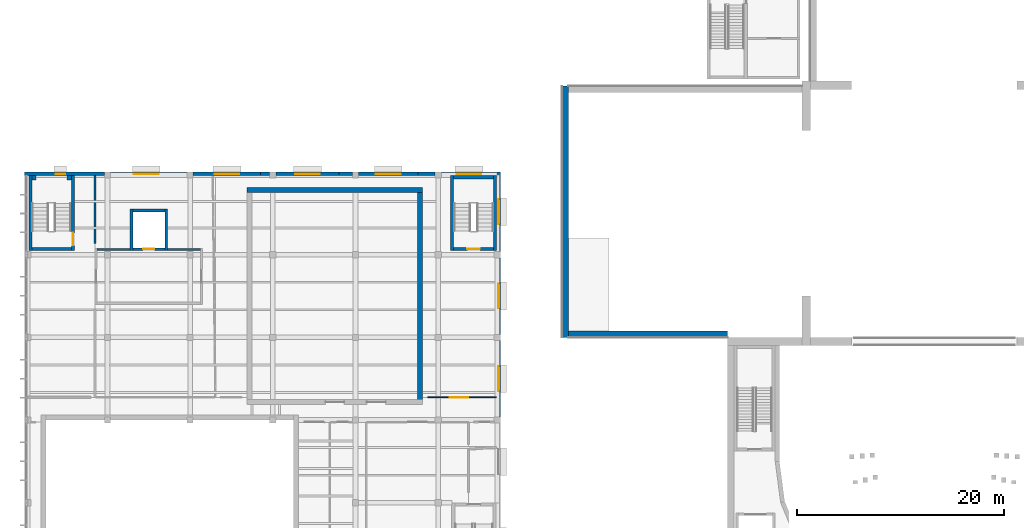
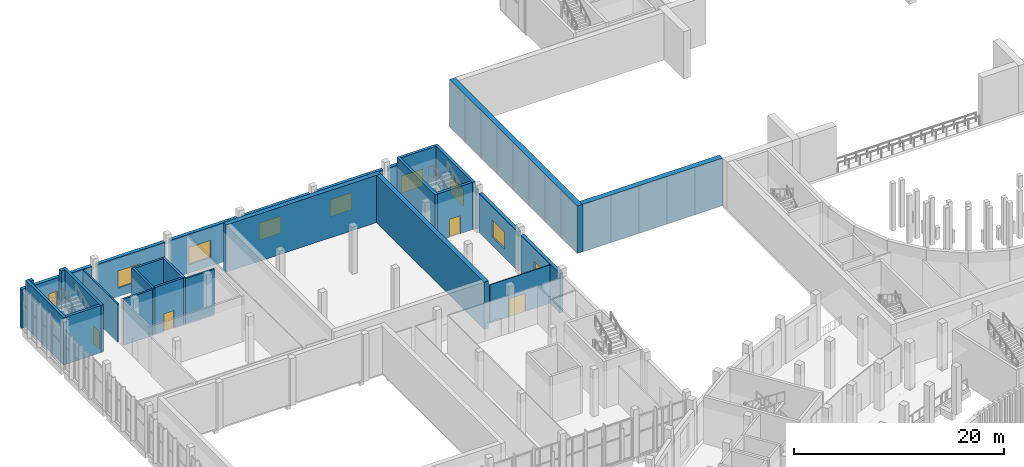
# One storey, part 58 of 112: 33 walls, 9 windows, 4 doors, 13 openings.
"""IFC4 building model written with IfcOpenShell, lengths in metres."""

from ifc_helpers import new_model, si_unit, direction, frame, frame_2d, origin, place, context, subcontext, project, spatial, rectangle, extrude, material, layer, layer_set, type_object, element, fill, save


model = new_model("IFC4")

# Units and contexts
model_context = context("Model", 3, precision=1e-05, world=origin(), true_north=direction((0.0, 1.0)))
body_context = subcontext(model_context, "Body", "Model", "MODEL_VIEW")
ifc_project = project(units=[si_unit("LENGTHUNIT", "METRE"), si_unit("AREAUNIT", "SQUARE_METRE"), si_unit("VOLUMEUNIT", "CUBIC_METRE"), si_unit("PLANEANGLEUNIT", "RADIAN"), si_unit("MASSUNIT", "GRAM", prefix="KILO")], contexts=[model_context])

# Site, building, storey
site_placement = place(None, origin())
site = spatial("IfcSite", under=ifc_project, at=site_placement, CompositionType="ELEMENT")
building_placement = place(site_placement, origin())
building = spatial("IfcBuilding", under=site, at=building_placement, Name="Lunette Opera House", CompositionType="ELEMENT")
storey_placement = place(building_placement, frame((0.0, 0.0, 6.0)))
storey = spatial("IfcBuildingStorey", under=building, at=storey_placement, Name="L01", CompositionType="ELEMENT", Elevation=6.0)

# Walls
ifc_material_1 = material(Name="Plastered clay blockwork", Category="masonry")
ifc_layer_1 = layer(ifc_material_1, 0.175048828125)
ifc_layer_set_1 = layer_set([ifc_layer_1], Name="Plastered clay blockwork")
wall_type_1 = type_object("IfcWallType", Name="ACOUSTIC BLOCK PARTITION 175", PredefinedType="PARTITIONING", material=ifc_layer_set_1)
wall_1_placement = place(storey_placement, frame((14.7939453125, 111.634033203125, 0.0), z_axis=(0.0, 0.0, 1.0), x_axis=(0.0, -1.0, 0.0)))
element("IfcWall", 1, at=wall_1_placement, inside=storey, type_object=wall_type_1, Name="Partition Ballet Studio 3", PredefinedType="PARTITIONING", context=body_context, shape_type="SweptSolid", body=[
    extrude(rectangle(XDim=6.533935546875, YDim=0.175048828125, at=frame_2d((3.26708984375, 0.0))), origin(), (0.0, 0.0, 1.0), 4.449951171875),
])
ifc_material_2 = material(Name="Concrete C35/45", Category="concrete")
ifc_layer_2 = layer(ifc_material_2, 0.199951171875)
ifc_layer_set_2 = layer_set([ifc_layer_2], Name="Concrete C35/45")
wall_type_2 = type_object("IfcWallType", Name="LOBBY WALL 200", PredefinedType="PARTITIONING", material=ifc_layer_set_2)
for number, where, z_axis, x_axis, name in (
    (2, (25.0, 104.5, 0.0), (0.0, 0.0, 1.0), (-1.0, 0.0, 0.0), "LL-R lobby wall 2a"),
    (3, (18.179931640625, 104.5, 0.0), (0.0, 0.0, 1.0), (-1.0, 0.0, 0.0), "LL-R lobby wall 2b"),
):
    element("IfcWall", number, at=place(storey_placement, frame(where, z_axis=z_axis, x_axis=x_axis)), inside=storey, type_object=wall_type_2, Name=name, PredefinedType="PARTITIONING", context=body_context, shape_type="SweptSolid", body=[
        extrude(rectangle(XDim=3.179931640625, YDim=0.199951171875, at=frame_2d((1.58984375, 0.0))), origin(), (0.0, 0.0, 1.0), 5.35009765625),
    ])
ifc_material_3 = material(Name="Concrete C35/45", Category="concrete")
ifc_layer_3 = layer(ifc_material_3, 0.25)
ifc_layer_set_3 = layer_set([ifc_layer_3], Name="Concrete C35/45")
wall_type_3 = type_object("IfcWallType", Name="RC LIFT SHAFT WALL 250", PredefinedType="SOLIDWALL", material=ifc_layer_set_3)
wall_2_placement = place(storey_placement, frame((21.675048828125, 104.39990234375, 0.0), z_axis=(0.0, 0.0, 1.0), x_axis=(0.0, 1.0, 0.0)))
element("IfcWall", 4, at=wall_2_placement, inside=storey, type_object=wall_type_3, Name="LF5 shaft wall 1", PredefinedType="SOLIDWALL", context=body_context, shape_type="SweptSolid", body=[
    extrude(rectangle(XDim=4.0, YDim=0.25, at=frame_2d((2.0, 0.0))), origin(), (0.0, 0.0, 1.0), 5.5),
])
wall_3_placement = place(storey_placement, frame((21.550048828125, 108.27490234375, 0.0), z_axis=(0.0, 0.0, 1.0), x_axis=(-1.0, 0.0, 0.0)))
element("IfcWall", 5, at=wall_3_placement, inside=storey, type_object=wall_type_3, Name="LF5 shaft wall 2", PredefinedType="SOLIDWALL", context=body_context, shape_type="SweptSolid", body=[
    extrude(rectangle(XDim=3.10009765625, YDim=0.25, at=frame_2d((1.550048828125, 0.0))), origin(), (0.0, 0.0, 1.0), 5.5),
])
wall_4_placement = place(storey_placement, frame((18.324951171875, 108.39990234375, 0.0), z_axis=(0.0, 0.0, 1.0), x_axis=(0.0, -1.0, 0.0)))
element("IfcWall", 6, at=wall_4_placement, inside=storey, type_object=wall_type_3, Name="LF5 shaft wall 3", PredefinedType="SOLIDWALL", context=body_context, shape_type="SweptSolid", body=[
    extrude(rectangle(XDim=4.0, YDim=0.25, at=frame_2d((2.0, 0.0))), origin(), (0.0, 0.0, 1.0), 5.5),
])

# Wall, opening, door
wall_5_placement = place(storey_placement, frame((18.449951171875, 104.52490234375, 0.0), z_axis=(0.0, 0.0, 1.0), x_axis=(1.0, 0.0, 0.0)))
wall_5 = element("IfcWall", 7, at=wall_5_placement, inside=storey, type_object=wall_type_3, Name="LF5 shaft wall 4", PredefinedType="SOLIDWALL", context=body_context, shape_type="SweptSolid", body=[
    extrude(rectangle(XDim=3.10009765625, YDim=0.25, at=frame_2d((1.550048828125, 0.0))), origin(), (0.0, 0.0, 1.0), 5.5),
])
opening_1_placement = place(wall_5_placement, frame((1.0, 0.0, 0.0)))
opening_1 = element("IfcOpeningElement", 8, at=opening_1_placement, cuts=wall_5, Name="Opening RW-LD003", PredefinedType="OPENING", context=body_context, shape_type="SweptSolid", body=[
    extrude(rectangle(XDim=1.10009765625, YDim=2.10009765625, at=frame_2d((0.550048828125, 1.050048828125))), frame((0.0, 0.136962890625, 0.0), z_axis=(0.0, -1.0, 0.0), x_axis=(1.0, 0.0, 0.0)), (0.0, 0.0, 1.0), 0.27392578125),
])
ifc_material_4 = material(Name="Stainless steel", Category="steel")
door_type_1 = type_object("IfcDoorType", Name="LIFT LANDING DOOR 1100 X 2100", OperationType="DOUBLE_DOOR_SLIDING", PredefinedType="DOOR", material=ifc_material_4)
door_1_placement = place(opening_1_placement, origin())
door_1 = element("IfcDoor", 9, at=door_1_placement, inside=storey, type_object=door_type_1, Name="LF5 lift landing door", OperationType="DOUBLE_DOOR_SLIDING", OverallHeight=2.10009765625, OverallWidth=1.10009765625, PredefinedType="DOOR", context=body_context, shape_type="SweptSolid", body=[
    extrude(rectangle(XDim=1.10009765625, YDim=2.10009765625, at=frame_2d((0.550048828125, 1.050048828125))), frame((0.0, 0.02490234375, 0.0), z_axis=(0.0, -1.0, 0.0), x_axis=(1.0, 0.0, 0.0)), (0.0, 0.0, 1.0), 0.050048828125),
])
fill(opening_1, door_1)

# Walls
ifc_material_5 = material(Name="Concrete C35/45", Category="concrete")
ifc_layer_4 = layer(ifc_material_5, 0.39990234375)
ifc_layer_set_4 = layer_set([ifc_layer_4], Name="Concrete C35/45")
wall_type_4 = type_object("IfcWallType", Name="RC PILASTER 400", PredefinedType="SOLIDWALL", material=ifc_layer_set_4)
wall_6_placement = place(storey_placement, frame((12.5, 111.43505859375, 0.0), z_axis=(0.0, 0.0, 1.0), x_axis=(-1.0, 0.0, 0.0)))
element("IfcWall", 10, at=wall_6_placement, inside=storey, type_object=wall_type_4, Name="ST15 pilaster 1", PredefinedType="SOLIDWALL", context=body_context, shape_type="SweptSolid", body=[
    extrude(rectangle(XDim=0.39990234375, YDim=0.39990234375, at=frame_2d((0.199951171875, 0.0))), origin(), (0.0, 0.0, 1.0), 5.5),
])
wall_7_placement = place(storey_placement, frame((9.10009765625, 111.43505859375, 0.0), z_axis=(0.0, 0.0, 1.0), x_axis=(-1.0, 0.0, 0.0)))
element("IfcWall", 11, at=wall_7_placement, inside=storey, type_object=wall_type_4, Name="ST15 pilaster 2", PredefinedType="SOLIDWALL", context=body_context, shape_type="SweptSolid", body=[
    extrude(rectangle(XDim=0.400146484375, YDim=0.39990234375, at=frame_2d((0.2001953125, 0.0))), origin(), (0.0, 0.0, 1.0), 5.5),
])

# Wall, opening, door
ifc_material_6 = material(Name="Concrete C35/45", Category="concrete")
ifc_layer_5 = layer(ifc_material_6, 0.300048828125)
ifc_layer_set_5 = layer_set([ifc_layer_5], Name="Concrete C35/45")
wall_type_5 = type_object("IfcWallType", Name="RC STAIR ENCLOSURE WALL 300", PredefinedType="SOLIDWALL", material=ifc_layer_set_5)
wall_8_placement = place(storey_placement, frame((12.64990234375, 104.39990234375, 0.0), z_axis=(0.0, 0.0, 1.0), x_axis=(0.0, 1.0, 0.0)))
wall_8 = element("IfcWall", 12, at=wall_8_placement, inside=storey, type_object=wall_type_5, Name="ST15 enclosure wall 1", PredefinedType="SOLIDWALL", context=body_context, shape_type="SweptSolid", body=[
    extrude(rectangle(XDim=7.235107421875, YDim=0.300048828125, at=frame_2d((3.61767578125, 0.0))), origin(), (0.0, 0.0, 1.0), 5.5),
])
opening_2_placement = place(wall_8_placement, frame((0.5, 0.0, 0.0)))
opening_2 = element("IfcOpeningElement", 13, at=opening_2_placement, cuts=wall_8, Name="Opening RW-D7003", PredefinedType="OPENING", context=body_context, shape_type="SweptSolid", body=[
    extrude(rectangle(XDim=1.199951171875, YDim=2.10009765625, at=frame_2d((0.60009765625, 1.050048828125))), frame((0.0, 0.162109375, 0.0), z_axis=(0.0, -1.0, 0.0), x_axis=(1.0, 0.0, 0.0)), (0.0, 0.0, 1.0), 0.323974609375),
])
ifc_material_7 = material(Name="Steel", Category="steel")
door_type_2 = type_object("IfcDoorType", Name="FIRE DOOR 1200 X 2100", OperationType="SINGLE_SWING_LEFT", PredefinedType="DOOR", material=ifc_material_7)
door_2_placement = place(opening_2_placement, origin())
door_2 = element("IfcDoor", 14, at=door_2_placement, inside=storey, type_object=door_type_2, Name="ST15 stair door", OperationType="SINGLE_SWING_LEFT", OverallHeight=2.10009765625, OverallWidth=1.199951171875, PredefinedType="DOOR", context=body_context, shape_type="SweptSolid", body=[
    extrude(rectangle(XDim=1.199951171875, YDim=2.10009765625, at=frame_2d((0.60009765625, 1.050048828125))), frame((0.0, 0.02490234375, 0.0), z_axis=(0.0, -1.0, 0.0), x_axis=(1.0, 0.0, 0.0)), (0.0, 0.0, 1.0), 0.050048828125),
])
fill(opening_2, door_2)

# Walls
wall_9_placement = place(storey_placement, frame((8.550048828125, 111.635009765625, 0.0), z_axis=(0.0, 0.0, 1.0), x_axis=(0.0, -1.0, 0.0)))
element("IfcWall", 15, at=wall_9_placement, inside=storey, type_object=wall_type_5, Name="ST15 enclosure wall 3", PredefinedType="SOLIDWALL", context=body_context, shape_type="SweptSolid", body=[
    extrude(rectangle(XDim=7.235107421875, YDim=0.300048828125, at=frame_2d((3.61767578125, 0.0))), origin(), (0.0, 0.0, 1.0), 5.5),
])
wall_10_placement = place(storey_placement, frame((8.699951171875, 104.550048828125, 0.0), z_axis=(0.0, 0.0, 1.0), x_axis=(1.0, 0.0, 0.0)))
element("IfcWall", 16, at=wall_10_placement, inside=storey, type_object=wall_type_5, Name="ST15 enclosure wall 4", PredefinedType="SOLIDWALL", context=body_context, shape_type="SweptSolid", body=[
    extrude(rectangle(XDim=3.800048828125, YDim=0.300048828125, at=frame_2d((1.89990234375, 0.0))), origin(), (0.0, 0.0, 1.0), 5.5),
])
wall_11_placement = place(storey_placement, frame((53.485107421875, 104.39990234375, 0.0), z_axis=(0.0, 0.0, 1.0), x_axis=(0.0, 1.0, 0.0)))
element("IfcWall", 17, at=wall_11_placement, inside=storey, type_object=wall_type_5, Name="ST17 enclosure wall 1", PredefinedType="SOLIDWALL", context=body_context, shape_type="SweptSolid", body=[
    extrude(rectangle(XDim=7.235107421875, YDim=0.300048828125, at=frame_2d((3.61767578125, 0.0))), origin(), (0.0, 0.0, 1.0), 5.5),
])
wall_12_placement = place(storey_placement, frame((53.3349609375, 111.485107421875, 0.0), z_axis=(0.0, 0.0, 1.0), x_axis=(-1.0, 0.0, 0.0)))
element("IfcWall", 18, at=wall_12_placement, inside=storey, type_object=wall_type_5, Name="ST17 enclosure wall 2", PredefinedType="SOLIDWALL", context=body_context, shape_type="SweptSolid", body=[
    extrude(rectangle(XDim=3.8349609375, YDim=0.300048828125, at=frame_2d((1.91748046875, 0.0))), origin(), (0.0, 0.0, 1.0), 5.5),
])
wall_13_placement = place(storey_placement, frame((49.35009765625, 111.635009765625, 0.0), z_axis=(0.0, 0.0, 1.0), x_axis=(0.0, -1.0, 0.0)))
element("IfcWall", 19, at=wall_13_placement, inside=storey, type_object=wall_type_5, Name="ST17 enclosure wall 3", PredefinedType="SOLIDWALL", context=body_context, shape_type="SweptSolid", body=[
    extrude(rectangle(XDim=7.235107421875, YDim=0.300048828125, at=frame_2d((3.61767578125, 0.0))), origin(), (0.0, 0.0, 1.0), 5.5),
])

# Wall, opening, door
wall_14_placement = place(storey_placement, frame((49.5, 104.550048828125, 0.0), z_axis=(0.0, 0.0, 1.0), x_axis=(1.0, 0.0, 0.0)))
wall_14 = element("IfcWall", 20, at=wall_14_placement, inside=storey, type_object=wall_type_5, Name="ST17 enclosure wall 4", PredefinedType="SOLIDWALL", context=body_context, shape_type="SweptSolid", body=[
    extrude(rectangle(XDim=3.8349609375, YDim=0.300048828125, at=frame_2d((1.91748046875, 0.0))), origin(), (0.0, 0.0, 1.0), 5.5),
])
opening_3_placement = place(wall_14_placement, frame((1.31689453125, 0.0, 0.0)))
opening_3 = element("IfcOpeningElement", 21, at=opening_3_placement, cuts=wall_14, Name="Opening RW-D7015", PredefinedType="OPENING", context=body_context, shape_type="SweptSolid", body=[
    extrude(rectangle(XDim=1.199951171875, YDim=2.10009765625, at=frame_2d((0.60009765625, 1.050048828125))), frame((0.0, 0.162109375, 0.0), z_axis=(0.0, -1.0, 0.0), x_axis=(1.0, 0.0, 0.0)), (0.0, 0.0, 1.0), 0.323974609375),
])
door_3_placement = place(opening_3_placement, origin())
door_3 = element("IfcDoor", 22, at=door_3_placement, inside=storey, type_object=door_type_2, Name="ST17 stair door", OperationType="SINGLE_SWING_LEFT", OverallHeight=2.10009765625, OverallWidth=1.199951171875, PredefinedType="DOOR", context=body_context, shape_type="SweptSolid", body=[
    extrude(rectangle(XDim=1.199951171875, YDim=2.10009765625, at=frame_2d((0.60009765625, 1.050048828125))), frame((0.0, 0.02490234375, 0.0), z_axis=(0.0, -1.0, 0.0), x_axis=(1.0, 0.0, 0.0)), (0.0, 0.0, 1.0), 0.050048828125),
])
fill(opening_3, door_3)

# Walls
ifc_material_8 = material(Name="Concrete C35/45", Category="concrete")
ifc_layer_6 = layer(ifc_material_8, 0.5)
ifc_layer_set_6 = layer_set([ifc_layer_6], Name="Concrete C35/45")
wall_type_6 = type_object("IfcWallType", Name="RC WALL 500", PredefinedType="SHEAR", material=ifc_layer_set_6)
wall_15_placement = place(storey_placement, frame((29.5, 110.25, 0.0), z_axis=(0.0, 0.0, 1.0), x_axis=(1.0, 0.0, 0.0)))
element("IfcWall", 23, at=wall_15_placement, inside=storey, type_object=wall_type_6, Name="wall-RW-L01-OH-N-1", PredefinedType="SHEAR", context=body_context, shape_type="SweptSolid", body=[
    extrude(rectangle(XDim=17.0, YDim=0.5, at=frame_2d((8.5, 0.0))), origin(), (0.0, 0.0, 1.0), 5.5),
])
wall_16_placement = place(storey_placement, frame((46.25, 89.5, 0.0), z_axis=(0.0, 0.0, 1.0), x_axis=(0.0, 1.0, 0.0)))
element("IfcWall", 24, at=wall_16_placement, inside=storey, type_object=wall_type_6, Name="wall-RW-L01-OH-E-1", PredefinedType="SHEAR", context=body_context, shape_type="SweptSolid", body=[
    extrude(rectangle(XDim=21.0, YDim=0.5, at=frame_2d((10.5, 0.0))), origin(), (0.0, 0.0, 1.0), 5.5),
])
ifc_material_9 = material(Name="Concrete C35/45", Category="concrete")
ifc_layer_7 = layer(ifc_material_9, 0.60009765625)
ifc_layer_set_7 = layer_set([ifc_layer_7], Name="Concrete C35/45")
wall_type_7 = type_object("IfcWallType", Name="RC WALL 600", PredefinedType="SHEAR", material=ifc_layer_set_7)
wall_17_placement = place(storey_placement, frame((60.300048828125, 96.0, 0.0), z_axis=(0.0, 0.0, 1.0), x_axis=(0.0, 1.0, 0.0)))
element("IfcWall", 25, at=wall_17_placement, inside=storey, type_object=wall_type_7, Name="wall-ST-L01-SW-W-1", PredefinedType="SHEAR", context=body_context, shape_type="SweptSolid", body=[
    extrude(rectangle(XDim=24.300048828125, YDim=0.60009765625, at=frame_2d((12.14990234375, 0.0))), origin(), (0.0, 0.0, 1.0), 5.5),
])
wall_18_placement = place(storey_placement, frame((60.60009765625, 96.300048828125, 0.0), z_axis=(0.0, 0.0, 1.0), x_axis=(1.0, 0.0, 0.0)))
element("IfcWall", 26, at=wall_18_placement, inside=storey, type_object=wall_type_7, Name="wall-ST-L01-SW-S-1", PredefinedType="SHEAR", context=body_context, shape_type="SweptSolid", body=[
    extrude(rectangle(XDim=15.389892578125, YDim=0.60009765625, at=frame_2d((7.69482421875, 0.0))), origin(), (0.0, 0.0, 1.0), 5.5),
])

# Wall, opening, window
ifc_material_10 = material(Name="Clinker brick", Category="masonry")
ifc_layer_8 = layer(ifc_material_10, 0.364990234375)
ifc_layer_set_8 = layer_set([ifc_layer_8], Name="Clinker brick")
wall_type_8 = type_object("IfcWallType", Name="REHEARSAL BRICK WALL 365", PredefinedType="SOLIDWALL", material=ifc_layer_set_8)
wall_19_placement = place(storey_placement, frame((53.818115234375, 88.300048828125, 0.0), z_axis=(0.0, 0.0, 1.0), x_axis=(0.0, 1.0, 0.0)))
wall_19 = element("IfcWall", 27, at=wall_19_placement, inside=storey, type_object=wall_type_8, Name="Rehearsal Brick Wall 365 F04 L01", PredefinedType="SOLIDWALL", context=body_context, shape_type="SweptSolid", body=[
    extrude(rectangle(XDim=7.39990234375, YDim=0.364990234375, at=frame_2d((3.699951171875, 0.0))), origin(), (0.0, 0.0, 1.0), 4.550048828125),
])
opening_4_placement = place(wall_19_placement, frame((2.5, 0.0, 1.0)))
opening_4 = element("IfcOpeningElement", 28, at=opening_4_placement, cuts=wall_19, Name="Opening RW-N2016", PredefinedType="OPENING", context=body_context, shape_type="SweptSolid", body=[
    extrude(rectangle(XDim=2.39990234375, YDim=2.0, at=frame_2d((1.199951171875, 1.0))), frame((0.0, 0.194580078125, 0.0), z_axis=(0.0, -1.0, 0.0), x_axis=(1.0, 0.0, 0.0)), (0.0, 0.0, 1.0), 0.388916015625),
])
ifc_material_11 = material(Name="Aluminium", Category="aluminium")
window_type_1 = type_object("IfcWindowType", Name="REHEARSAL WINDOW 2400 X 2000", PartitioningType="DOUBLE_PANEL_VERTICAL", PredefinedType="WINDOW", material=ifc_material_11)
window_1_placement = place(opening_4_placement, origin())
window_1 = element("IfcWindow", 29, at=window_1_placement, inside=storey, type_object=window_type_1, Name="Rehearsal Window 2400 X 2000 F04 L01", OverallHeight=2.0, OverallWidth=2.39990234375, PartitioningType="DOUBLE_PANEL_VERTICAL", PredefinedType="WINDOW", context=body_context, shape_type="SweptSolid", body=[
    extrude(rectangle(XDim=2.39990234375, YDim=2.0, at=frame_2d((1.199951171875, 1.0))), frame((0.0, 0.030029296875, 0.0), z_axis=(0.0, -1.0, 0.0), x_axis=(1.0, 0.0, 0.0)), (0.0, 0.0, 1.0), 0.06005859375),
])
fill(opening_4, window_1)

wall_20_placement = place(storey_placement, frame((53.818115234375, 96.300048828125, 0.0), z_axis=(0.0, 0.0, 1.0), x_axis=(0.0, 1.0, 0.0)))
wall_20 = element("IfcWall", 30, at=wall_20_placement, inside=storey, type_object=wall_type_8, Name="Rehearsal Brick Wall 365 F05 L01", PredefinedType="SOLIDWALL", context=body_context, shape_type="SweptSolid", body=[
    extrude(rectangle(XDim=7.39990234375, YDim=0.364990234375, at=frame_2d((3.699951171875, 0.0))), origin(), (0.0, 0.0, 1.0), 4.550048828125),
])
opening_5_placement = place(wall_20_placement, frame((2.5, 0.0, 1.0)))
opening_5 = element("IfcOpeningElement", 31, at=opening_5_placement, cuts=wall_20, Name="Opening RW-N2017", PredefinedType="OPENING", context=body_context, shape_type="SweptSolid", body=[
    extrude(rectangle(XDim=2.39990234375, YDim=2.0, at=frame_2d((1.199951171875, 1.0))), frame((0.0, 0.194580078125, 0.0), z_axis=(0.0, -1.0, 0.0), x_axis=(1.0, 0.0, 0.0)), (0.0, 0.0, 1.0), 0.388916015625),
])
window_2_placement = place(opening_5_placement, origin())
window_2 = element("IfcWindow", 32, at=window_2_placement, inside=storey, type_object=window_type_1, Name="Rehearsal Window 2400 X 2000 F05 L01", OverallHeight=2.0, OverallWidth=2.39990234375, PartitioningType="DOUBLE_PANEL_VERTICAL", PredefinedType="WINDOW", context=body_context, shape_type="SweptSolid", body=[
    extrude(rectangle(XDim=2.39990234375, YDim=2.0, at=frame_2d((1.199951171875, 1.0))), frame((0.0, 0.030029296875, 0.0), z_axis=(0.0, -1.0, 0.0), x_axis=(1.0, 0.0, 0.0)), (0.0, 0.0, 1.0), 0.06005859375),
])
fill(opening_5, window_2)

wall_21_placement = place(storey_placement, frame((53.818115234375, 104.300048828125, 0.0), z_axis=(0.0, 0.0, 1.0), x_axis=(0.0, 1.0, 0.0)))
wall_21 = element("IfcWall", 33, at=wall_21_placement, inside=storey, type_object=wall_type_8, Name="Rehearsal Brick Wall 365 F06 L01", PredefinedType="SOLIDWALL", context=body_context, shape_type="SweptSolid", body=[
    extrude(rectangle(XDim=7.699951171875, YDim=0.364990234375, at=frame_2d((3.85009765625, 0.0))), origin(), (0.0, 0.0, 1.0), 4.550048828125),
])
opening_6_placement = place(wall_21_placement, frame((2.64990234375, 0.0, 1.0)))
opening_6 = element("IfcOpeningElement", 34, at=opening_6_placement, cuts=wall_21, Name="Opening RW-N2018", PredefinedType="OPENING", context=body_context, shape_type="SweptSolid", body=[
    extrude(rectangle(XDim=2.39990234375, YDim=2.0, at=frame_2d((1.199951171875, 1.0))), frame((0.0, 0.194580078125, 0.0), z_axis=(0.0, -1.0, 0.0), x_axis=(1.0, 0.0, 0.0)), (0.0, 0.0, 1.0), 0.388916015625),
])
window_3_placement = place(opening_6_placement, origin())
window_3 = element("IfcWindow", 35, at=window_3_placement, inside=storey, type_object=window_type_1, Name="Rehearsal Window 2400 X 2000 F06 L01", OverallHeight=2.0, OverallWidth=2.39990234375, PartitioningType="DOUBLE_PANEL_VERTICAL", PredefinedType="WINDOW", context=body_context, shape_type="SweptSolid", body=[
    extrude(rectangle(XDim=2.39990234375, YDim=2.0, at=frame_2d((1.199951171875, 1.0))), frame((0.0, 0.030029296875, 0.0), z_axis=(0.0, -1.0, 0.0), x_axis=(1.0, 0.0, 0.0)), (0.0, 0.0, 1.0), 0.06005859375),
])
fill(opening_6, window_3)

wall_22_placement = place(storey_placement, frame((53.635009765625, 111.81689453125, 0.0), z_axis=(0.0, 0.0, 1.0), x_axis=(-1.0, 0.0, 0.0)))
wall_22 = element("IfcWall", 36, at=wall_22_placement, inside=storey, type_object=wall_type_8, Name="Rehearsal Brick Wall 365 F07-1 L01", PredefinedType="SOLIDWALL", context=body_context, shape_type="SweptSolid", body=[
    extrude(rectangle(XDim=5.3349609375, YDim=0.364990234375, at=frame_2d((2.66748046875, 0.0))), origin(), (0.0, 0.0, 1.0), 4.550048828125),
])
opening_7_placement = place(wall_22_placement, frame((1.468017578125, 0.0, 1.0)))
opening_7 = element("IfcOpeningElement", 37, at=opening_7_placement, cuts=wall_22, Name="Opening RW-N2019", PredefinedType="OPENING", context=body_context, shape_type="SweptSolid", body=[
    extrude(rectangle(XDim=2.39990234375, YDim=2.0, at=frame_2d((1.199951171875, 1.0))), frame((0.0, 0.194580078125, 0.0), z_axis=(0.0, -1.0, 0.0), x_axis=(1.0, 0.0, 0.0)), (0.0, 0.0, 1.0), 0.388916015625),
])
window_4_placement = place(opening_7_placement, origin())
window_4 = element("IfcWindow", 38, at=window_4_placement, inside=storey, type_object=window_type_1, Name="Rehearsal Window 2400 X 2000 F07-1 L01", OverallHeight=2.0, OverallWidth=2.39990234375, PartitioningType="DOUBLE_PANEL_VERTICAL", PredefinedType="WINDOW", context=body_context, shape_type="SweptSolid", body=[
    extrude(rectangle(XDim=2.39990234375, YDim=2.0, at=frame_2d((1.199951171875, 1.0))), frame((0.0, 0.030029296875, 0.0), z_axis=(0.0, -1.0, 0.0), x_axis=(1.0, 0.0, 0.0)), (0.0, 0.0, 1.0), 0.06005859375),
])
fill(opening_7, window_4)

# Wall
wall_23_placement = place(storey_placement, frame((47.699951171875, 111.81689453125, 0.0), z_axis=(0.0, 0.0, 1.0), x_axis=(-1.0, 0.0, 0.0)))
element("IfcWall", 39, at=wall_23_placement, inside=storey, type_object=wall_type_8, Name="Rehearsal Brick Wall 365 F07-2 L01", PredefinedType="SOLIDWALL", context=body_context, shape_type="SweptSolid", body=[
    extrude(rectangle(XDim=1.6708984375, YDim=0.364990234375, at=frame_2d((0.83544921875, 0.0))), origin(), (0.0, 0.0, 1.0), 4.550048828125),
])

# Wall, opening, window
wall_24_placement = place(storey_placement, frame((46.029052734375, 111.81689453125, 0.0), z_axis=(0.0, 0.0, 1.0), x_axis=(-1.0, 0.0, 0.0)))
wall_24 = element("IfcWall", 40, at=wall_24_placement, inside=storey, type_object=wall_type_8, Name="Rehearsal Brick Wall 365 F08-1 L01", PredefinedType="SOLIDWALL", context=body_context, shape_type="SweptSolid", body=[
    extrude(rectangle(XDim=5.72900390625, YDim=0.364990234375, at=frame_2d((2.864501953125, 0.0))), origin(), (0.0, 0.0, 1.0), 4.550048828125),
])
opening_8_placement = place(wall_24_placement, frame((1.6650390625, 0.0, 1.0)))
opening_8 = element("IfcOpeningElement", 41, at=opening_8_placement, cuts=wall_24, Name="Opening RW-N2020", PredefinedType="OPENING", context=body_context, shape_type="SweptSolid", body=[
    extrude(rectangle(XDim=2.39990234375, YDim=2.0, at=frame_2d((1.199951171875, 1.0))), frame((0.0, 0.194580078125, 0.0), z_axis=(0.0, -1.0, 0.0), x_axis=(1.0, 0.0, 0.0)), (0.0, 0.0, 1.0), 0.388916015625),
])
window_5_placement = place(opening_8_placement, origin())
window_5 = element("IfcWindow", 42, at=window_5_placement, inside=storey, type_object=window_type_1, Name="Rehearsal Window 2400 X 2000 F08-1 L01", OverallHeight=2.0, OverallWidth=2.39990234375, PartitioningType="DOUBLE_PANEL_VERTICAL", PredefinedType="WINDOW", context=body_context, shape_type="SweptSolid", body=[
    extrude(rectangle(XDim=2.39990234375, YDim=2.0, at=frame_2d((1.199951171875, 1.0))), frame((0.0, 0.030029296875, 0.0), z_axis=(0.0, -1.0, 0.0), x_axis=(1.0, 0.0, 0.0)), (0.0, 0.0, 1.0), 0.06005859375),
])
fill(opening_8, window_5)

# Wall
wall_25_placement = place(storey_placement, frame((39.699951171875, 111.81689453125, 0.0), z_axis=(0.0, 0.0, 1.0), x_axis=(-1.0, 0.0, 0.0)))
element("IfcWall", 43, at=wall_25_placement, inside=storey, type_object=wall_type_8, Name="Rehearsal Brick Wall 365 F08-2 L01", PredefinedType="SOLIDWALL", context=body_context, shape_type="SweptSolid", body=[
    extrude(rectangle(XDim=1.27685546875, YDim=0.364990234375, at=frame_2d((0.638427734375, 0.0))), origin(), (0.0, 0.0, 1.0), 4.550048828125),
])

# Wall, opening, window
wall_26_placement = place(storey_placement, frame((38.423095703125, 111.81689453125, 0.0), z_axis=(0.0, 0.0, 1.0), x_axis=(-1.0, 0.0, 0.0)))
wall_26 = element("IfcWall", 44, at=wall_26_placement, inside=storey, type_object=wall_type_8, Name="Rehearsal Brick Wall 365 F09-1 L01", PredefinedType="SOLIDWALL", context=body_context, shape_type="SweptSolid", body=[
    extrude(rectangle(XDim=6.123046875, YDim=0.364990234375, at=frame_2d((3.0615234375, 0.0))), origin(), (0.0, 0.0, 1.0), 4.550048828125),
])
opening_9_placement = place(wall_26_placement, frame((1.862060546875, 0.0, 1.0)))
opening_9 = element("IfcOpeningElement", 45, at=opening_9_placement, cuts=wall_26, Name="Opening RW-N2021", PredefinedType="OPENING", context=body_context, shape_type="SweptSolid", body=[
    extrude(rectangle(XDim=2.39990234375, YDim=2.0, at=frame_2d((1.199951171875, 1.0))), frame((0.0, 0.194580078125, 0.0), z_axis=(0.0, -1.0, 0.0), x_axis=(1.0, 0.0, 0.0)), (0.0, 0.0, 1.0), 0.388916015625),
])
window_6_placement = place(opening_9_placement, origin())
window_6 = element("IfcWindow", 46, at=window_6_placement, inside=storey, type_object=window_type_1, Name="Rehearsal Window 2400 X 2000 F09-1 L01", OverallHeight=2.0, OverallWidth=2.39990234375, PartitioningType="DOUBLE_PANEL_VERTICAL", PredefinedType="WINDOW", context=body_context, shape_type="SweptSolid", body=[
    extrude(rectangle(XDim=2.39990234375, YDim=2.0, at=frame_2d((1.199951171875, 1.0))), frame((0.0, 0.030029296875, 0.0), z_axis=(0.0, -1.0, 0.0), x_axis=(1.0, 0.0, 0.0)), (0.0, 0.0, 1.0), 0.06005859375),
])
fill(opening_9, window_6)

# Wall
wall_27_placement = place(storey_placement, frame((31.699951171875, 111.81689453125, 0.0), z_axis=(0.0, 0.0, 1.0), x_axis=(-1.0, 0.0, 0.0)))
element("IfcWall", 47, at=wall_27_placement, inside=storey, type_object=wall_type_8, Name="Rehearsal Brick Wall 365 F09-2 L01", PredefinedType="SOLIDWALL", context=body_context, shape_type="SweptSolid", body=[
    extrude(rectangle(XDim=0.883056640625, YDim=0.364990234375, at=frame_2d((0.44140625, 0.0))), origin(), (0.0, 0.0, 1.0), 4.550048828125),
])

# Wall, opening, window
wall_28_placement = place(storey_placement, frame((30.81689453125, 111.81689453125, 0.0), z_axis=(0.0, 0.0, 1.0), x_axis=(-1.0, 0.0, 0.0)))
wall_28 = element("IfcWall", 48, at=wall_28_placement, inside=storey, type_object=wall_type_8, Name="Rehearsal Brick Wall 365 F10 L01", PredefinedType="SOLIDWALL", context=body_context, shape_type="SweptSolid", body=[
    extrude(rectangle(XDim=6.516845703125, YDim=0.364990234375, at=frame_2d((3.25830078125, 0.0))), origin(), (0.0, 0.0, 1.0), 4.550048828125),
])
opening_10_placement = place(wall_28_placement, frame((2.05908203125, 0.0, 1.0)))
opening_10 = element("IfcOpeningElement", 49, at=opening_10_placement, cuts=wall_28, Name="Opening RW-N2022", PredefinedType="OPENING", context=body_context, shape_type="SweptSolid", body=[
    extrude(rectangle(XDim=2.39990234375, YDim=2.0, at=frame_2d((1.199951171875, 1.0))), frame((0.0, 0.194580078125, 0.0), z_axis=(0.0, -1.0, 0.0), x_axis=(1.0, 0.0, 0.0)), (0.0, 0.0, 1.0), 0.388916015625),
])
window_7_placement = place(opening_10_placement, origin())
window_7 = element("IfcWindow", 50, at=window_7_placement, inside=storey, type_object=window_type_1, Name="Rehearsal Window 2400 X 2000 F10 L01", OverallHeight=2.0, OverallWidth=2.39990234375, PartitioningType="DOUBLE_PANEL_VERTICAL", PredefinedType="WINDOW", context=body_context, shape_type="SweptSolid", body=[
    extrude(rectangle(XDim=2.39990234375, YDim=2.0, at=frame_2d((1.199951171875, 1.0))), frame((0.0, 0.030029296875, 0.0), z_axis=(0.0, -1.0, 0.0), x_axis=(1.0, 0.0, 0.0)), (0.0, 0.0, 1.0), 0.06005859375),
])
fill(opening_10, window_7)

wall_29_placement = place(storey_placement, frame((23.697021484375, 111.81689453125, 0.0), z_axis=(0.0, 0.0, 1.0), x_axis=(-1.0, 0.0, 0.0)))
wall_29 = element("IfcWall", 51, at=wall_29_placement, inside=storey, type_object=wall_type_8, Name="Rehearsal Brick Wall 365 F11 L01", PredefinedType="SOLIDWALL", context=body_context, shape_type="SweptSolid", body=[
    extrude(rectangle(XDim=7.39697265625, YDim=0.364990234375, at=frame_2d((3.698486328125, 0.0))), origin(), (0.0, 0.0, 1.0), 4.550048828125),
])
opening_11_placement = place(wall_29_placement, frame((2.740966796875, 0.0, 1.0)))
opening_11 = element("IfcOpeningElement", 52, at=opening_11_placement, cuts=wall_29, Name="Opening RW-N2023", PredefinedType="OPENING", context=body_context, shape_type="SweptSolid", body=[
    extrude(rectangle(XDim=2.39990234375, YDim=2.0, at=frame_2d((1.199951171875, 1.0))), frame((0.0, 0.194580078125, 0.0), z_axis=(0.0, -1.0, 0.0), x_axis=(1.0, 0.0, 0.0)), (0.0, 0.0, 1.0), 0.388916015625),
])
window_8_placement = place(opening_11_placement, origin())
window_8 = element("IfcWindow", 53, at=window_8_placement, inside=storey, type_object=window_type_1, Name="Rehearsal Window 2400 X 2000 F11 L01", OverallHeight=2.0, OverallWidth=2.39990234375, PartitioningType="DOUBLE_PANEL_VERTICAL", PredefinedType="WINDOW", context=body_context, shape_type="SweptSolid", body=[
    extrude(rectangle(XDim=2.39990234375, YDim=2.0, at=frame_2d((1.199951171875, 1.0))), frame((0.0, 0.030029296875, 0.0), z_axis=(0.0, -1.0, 0.0), x_axis=(1.0, 0.0, 0.0)), (0.0, 0.0, 1.0), 0.06005859375),
])
fill(opening_11, window_8)

wall_30_placement = place(storey_placement, frame((15.700927734375, 111.81689453125, 0.0), z_axis=(0.0, 0.0, 1.0), x_axis=(-1.0, 0.0, 0.0)))
wall_30 = element("IfcWall", 54, at=wall_30_placement, inside=storey, type_object=wall_type_8, Name="Rehearsal Brick Wall 365 F12 L01", PredefinedType="SOLIDWALL", context=body_context, shape_type="SweptSolid", body=[
    extrude(rectangle(XDim=7.700927734375, YDim=0.364990234375, at=frame_2d((3.8505859375, 0.0))), origin(), (0.0, 0.0, 1.0), 4.550048828125),
])
opening_12_placement = place(wall_30_placement, frame((3.800048828125, 0.0, 1.0)))
opening_12 = element("IfcOpeningElement", 55, at=opening_12_placement, cuts=wall_30, Name="Opening RW-N2061", PredefinedType="OPENING", context=body_context, shape_type="SweptSolid", body=[
    extrude(rectangle(XDim=0.89990234375, YDim=2.0, at=frame_2d((0.449951171875, 1.0))), frame((0.0, 0.194580078125, 0.0), z_axis=(0.0, -1.0, 0.0), x_axis=(1.0, 0.0, 0.0)), (0.0, 0.0, 1.0), 0.388916015625),
])
ifc_material_12 = material(Name="Aluminium", Category="aluminium")
window_type_2 = type_object("IfcWindowType", Name="REHEARSAL WINDOW 900 X 2000", PartitioningType="SINGLE_PANEL", PredefinedType="WINDOW", material=ifc_material_12)
window_9_placement = place(opening_12_placement, origin())
window_9 = element("IfcWindow", 56, at=window_9_placement, inside=storey, type_object=window_type_2, Name="Rehearsal Window 900 X 2000 F12b L01", OverallHeight=2.0, OverallWidth=0.89990234375, PartitioningType="SINGLE_PANEL", PredefinedType="WINDOW", context=body_context, shape_type="SweptSolid", body=[
    extrude(rectangle(XDim=0.89990234375, YDim=2.0, at=frame_2d((0.449951171875, 1.0))), frame((0.0, 0.030029296875, 0.0), z_axis=(0.0, -1.0, 0.0), x_axis=(1.0, 0.0, 0.0)), (0.0, 0.0, 1.0), 0.06005859375),
])
fill(opening_12, window_9)

# Wall, opening, door
ifc_material_13 = material(Name="Gypsum board on steel studs", Category="steel")
ifc_layer_9 = layer(ifc_material_13, 0.10009765625)
ifc_layer_set_9 = layer_set([ifc_layer_9], Name="Gypsum board on steel studs")
wall_type_9 = type_object("IfcWallType", Name="STUD PARTITION 100", PredefinedType="PARTITIONING", material=ifc_layer_set_9)
wall_31_placement = place(storey_placement, frame((53.635009765625, 90.199951171875, 0.0), z_axis=(0.0, 0.0, 1.0), x_axis=(-1.0, 0.0, 0.0)))
wall_31 = element("IfcWall", 57, at=wall_31_placement, inside=storey, type_object=wall_type_9, Name="Partition Corridor L01 Rehearsal", PredefinedType="PARTITIONING", context=body_context, shape_type="SweptSolid", body=[
    extrude(rectangle(XDim=6.635009765625, YDim=0.10009765625, at=frame_2d((3.3173828125, 0.0))), origin(), (0.0, 0.0, 1.0), 4.449951171875),
])
opening_13_placement = place(wall_31_placement, frame((2.735107421875, 0.0, 0.0)))
opening_13 = element("IfcOpeningElement", 58, at=opening_13_placement, cuts=wall_31, Name="Opening RW-D3023", PredefinedType="OPENING", context=body_context, shape_type="SweptSolid", body=[
    extrude(rectangle(XDim=1.800048828125, YDim=2.10009765625, at=frame_2d((0.89990234375, 1.050048828125))), frame((0.0, 0.06201171875, 0.0), z_axis=(0.0, -1.0, 0.0), x_axis=(1.0, 0.0, 0.0)), (0.0, 0.0, 1.0), 0.1240234375),
])
ifc_material_14 = material(Name="Timber", Category="wood")
door_type_3 = type_object("IfcDoorType", Name="DOUBLE FLUSH DOOR 1800 X 2100", OperationType="DOUBLE_DOOR_SINGLE_SWING", PredefinedType="DOOR", material=ifc_material_14)
door_4_placement = place(opening_13_placement, origin())
door_4 = element("IfcDoor", 59, at=door_4_placement, inside=storey, type_object=door_type_3, Name="Practice Room Block door", OperationType="DOUBLE_DOOR_SINGLE_SWING", OverallHeight=2.10009765625, OverallWidth=1.800048828125, PredefinedType="DOOR", context=body_context, shape_type="SweptSolid", body=[
    extrude(rectangle(XDim=1.800048828125, YDim=2.10009765625, at=frame_2d((0.89990234375, 1.050048828125))), frame((0.0, 0.02490234375, 0.0), z_axis=(0.0, -1.0, 0.0), x_axis=(1.0, 0.0, 0.0)), (0.0, 0.0, 1.0), 0.050048828125),
])
fill(opening_13, door_4)

save(model, "model.ifc")
